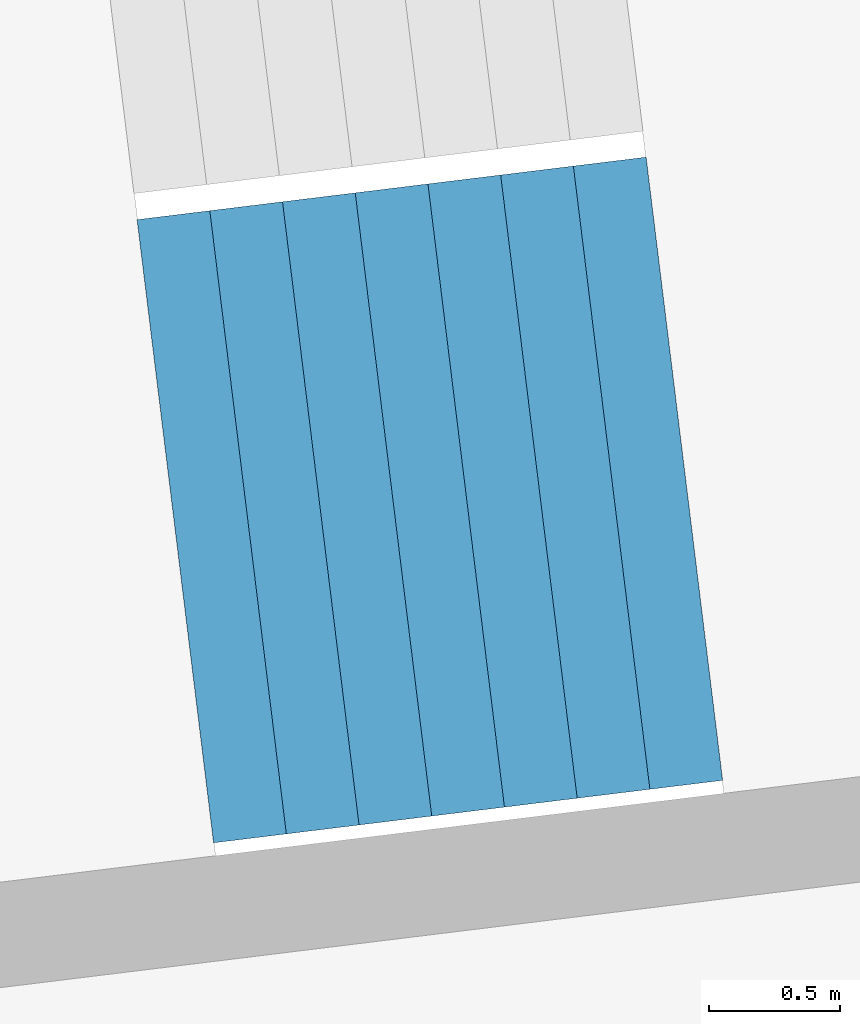
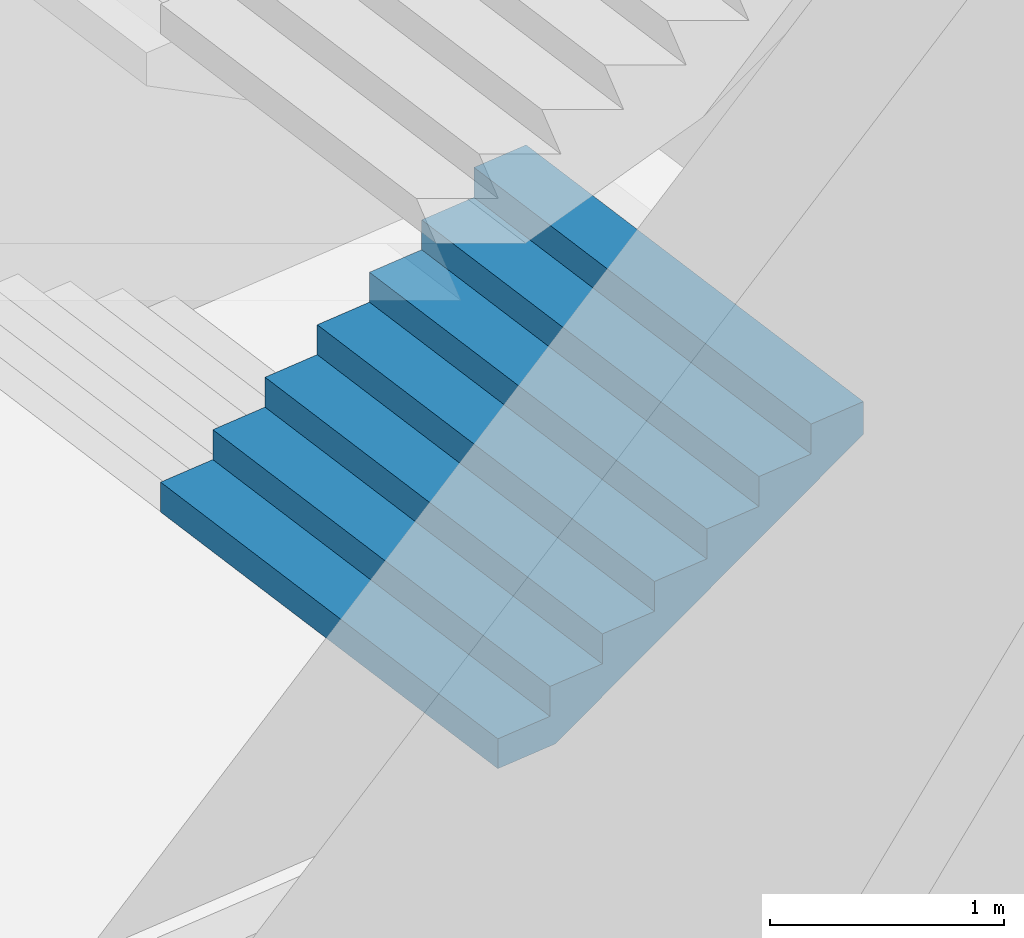
# One storey, part 23 of 73: 1 stair flight, 1 element without a shape of its own.
"""IFC4 building model written with IfcOpenShell, lengths in metres."""

from ifc_helpers import new_model, si_unit, direction, frame, origin, place, context, subcontext, project, spatial, triangles, material, type_object, element, aggregate, save


model = new_model("IFC4")

# Units and contexts
model_context = context("Model", 3, precision=1e-05, world=origin(), true_north=direction((0.0, 1.0)))
body_context = subcontext(model_context, "Body", "Model", "MODEL_VIEW")
ifc_project = project(units=[si_unit("LENGTHUNIT", "METRE"), si_unit("AREAUNIT", "SQUARE_METRE"), si_unit("VOLUMEUNIT", "CUBIC_METRE"), si_unit("PLANEANGLEUNIT", "RADIAN"), si_unit("MASSUNIT", "GRAM", prefix="KILO")], contexts=[model_context])

# Site, building, storey
site_placement = place(None, origin())
site = spatial("IfcSite", under=ifc_project, at=site_placement, CompositionType="ELEMENT")
building_placement = place(site_placement, origin())
building = spatial("IfcBuilding", under=site, at=building_placement, Name="Lantaw Convention Tower", CompositionType="ELEMENT")
storey_placement = place(building_placement, frame((0.0, 0.0, 22.0)))
storey = spatial("IfcBuildingStorey", under=building, at=storey_placement, Name="L03", CompositionType="ELEMENT", Elevation=22.0)

# Stair, stair flight
ifc_material = material(Name="Concrete C35/45", Category="concrete")
stair_type = type_object("IfcStairType", Name="Exit stair 2400 riser 156.25 in 4 flights", PredefinedType="HALF_TURN_STAIR", material=ifc_material)
stair_placement = place(storey_placement, origin())
stair = element("IfcStair", 1, at=stair_placement, inside=storey, type_object=stair_type, Name="Podium exit stair P10 L03", PredefinedType="HALF_TURN_STAIR")
stair_flight_type = type_object("IfcStairFlightType", Name="Stair flight 2400 riser 156.25", PredefinedType="STRAIGHT", material=ifc_material)
stair_flight_placement = place(storey_placement, frame((-36.802978515625, -5.7783203125, 1.25), z_axis=(0.0, 0.0, 1.0), x_axis=(0.992546151641, 0.121869343405, 0.0)))
stair_flight = element("IfcStairFlight", 2, at=stair_flight_placement, type_object=stair_flight_type, Name="P10 flight 2", NumberOfRisers=8, NumberOfTreads=7, PredefinedType="STRAIGHT", RiserHeight=0.15625, TreadLength=0.28, context=body_context, shape_type="Tessellation", body=[
    triangles([(0.0, 1.199951171875, 0.0), (0.0, 1.199951171875, 0.15625), (0.28, 1.199951171875, 0.0), (0.28, 1.199951171875, 0.15625), (0.28, 1.199951171875, 0.3125), (0.3076200632058044, 1.199951171875, 0.0), (0.3076200632058044, 1.199951171875, 0.3125), (0.56, 1.199951171875, 0.14083701830033238), (0.56, 1.199951171875, 0.3125), (0.56, 1.199951171875, 0.46875), (0.8400000000000001, 1.199951171875, 0.29708701830033235), (0.8400000000000001, 1.199951171875, 0.46875), (0.8400000000000001, 1.199951171875, 0.625), (1.12, 1.199951171875, 0.45333701830033235), (1.12, 1.199951171875, 0.625), (1.12, 1.199951171875, 0.78125), (1.4000000000000001, 1.199951171875, 0.6095870183003324), (1.4000000000000001, 1.199951171875, 0.78125), (1.4000000000000001, 1.199951171875, 0.9375), (1.6800000000000002, 1.199951171875, 0.7658370183003324), (1.6800000000000002, 1.199951171875, 0.9375), (1.6800000000000002, 1.199951171875, 1.09375), (1.9600000000000002, 1.199951171875, 0.9220870183003324), (1.9600000000000002, 1.199951171875, 1.09375), (0.0, -1.199951171875, 0.0), (0.0, -1.199951171875, 0.15625), (0.28, -1.199951171875, 0.0), (0.28, -1.199951171875, 0.15625), (0.28, -1.199951171875, 0.3125), (0.3076200632058044, -1.199951171875, 0.0), (0.3076200632058044, -1.199951171875, 0.3125), (0.56, -1.199951171875, 0.14083701830033238), (0.56, -1.199951171875, 0.3125), (0.56, -1.199951171875, 0.46875), (0.8400000000000001, -1.199951171875, 0.29708701830033235), (0.8400000000000001, -1.199951171875, 0.46875), (0.8400000000000001, -1.199951171875, 0.625), (1.12, -1.199951171875, 0.45333701830033235), (1.12, -1.199951171875, 0.625), (1.12, -1.199951171875, 0.78125), (1.4000000000000001, -1.199951171875, 0.6095870183003324), (1.4000000000000001, -1.199951171875, 0.78125), (1.4000000000000001, -1.199951171875, 0.9375), (1.6800000000000002, -1.199951171875, 0.7658370183003324), (1.6800000000000002, -1.199951171875, 0.9375), (1.6800000000000002, -1.199951171875, 1.09375), (1.9600000000000002, -1.199951171875, 0.9220870183003324), (1.9600000000000002, -1.199951171875, 1.09375), (0.0, 0.239990234375, 0.15625), (0.0, 0.239990234375, 0.0), (0.0, 0.1919921875, 0.15625), (0.0, 0.1919921875, 0.0), (0.0, 0.143994140625, 0.15625), (0.0, 0.143994140625, 0.0), (0.0, 0.09599609375, 0.15625), (0.0, 0.09599609375, 0.0), (0.0, 0.047998046875, 0.15625), (0.0, 0.047998046875, 0.0), (0.0, 0.0, 0.15625), (0.0, 0.0, 0.0), (0.0, -0.047998046875, 0.15625), (0.0, -0.047998046875, 0.0), (0.0, -0.09599609375, 0.15625), (0.0, -0.09599609375, 0.0), (0.0, -0.143994140625, 0.15625), (0.0, -0.143994140625, 0.0), (0.0, -0.1919921875, 0.15625), (0.0, -0.1919921875, 0.0), (0.0, -0.239990234375, 0.15625), (0.0, -0.239990234375, 0.0), (0.28, 0.239990234375, 0.3125), (0.28, 0.239990234375, 0.15625), (0.28, 0.1919921875, 0.3125), (0.28, 0.1919921875, 0.15625), (0.28, 0.143994140625, 0.3125), (0.28, 0.143994140625, 0.15625), (0.28, 0.09599609375, 0.3125), (0.28, 0.09599609375, 0.15625), (0.28, 0.047998046875, 0.3125), (0.28, 0.047998046875, 0.15625), (0.28, 0.0, 0.3125), (0.28, 0.0, 0.15625), (0.28, -0.047998046875, 0.3125), (0.28, -0.047998046875, 0.15625), (0.28, -0.09599609375, 0.3125), (0.28, -0.09599609375, 0.15625), (0.28, -0.143994140625, 0.3125), (0.28, -0.143994140625, 0.15625), (0.28, -0.1919921875, 0.3125), (0.28, -0.1919921875, 0.15625), (0.28, -0.239990234375, 0.3125), (0.28, -0.239990234375, 0.15625), (0.56, 0.239990234375, 0.46875), (0.56, 0.239990234375, 0.3125), (0.56, 0.1919921875, 0.46875), (0.56, 0.1919921875, 0.3125), (0.56, 0.143994140625, 0.46875), (0.56, 0.143994140625, 0.3125), (0.56, 0.09599609375, 0.46875), (0.56, 0.09599609375, 0.3125), (0.56, 0.047998046875, 0.46875), (0.56, 0.047998046875, 0.3125), (0.56, 0.0, 0.46875), (0.56, 0.0, 0.3125), (0.56, -0.047998046875, 0.46875), (0.56, -0.047998046875, 0.3125), (0.56, -0.09599609375, 0.46875), (0.56, -0.09599609375, 0.3125), (0.56, -0.143994140625, 0.46875), (0.56, -0.143994140625, 0.3125), (0.56, -0.1919921875, 0.46875), (0.56, -0.1919921875, 0.3125), (0.56, -0.239990234375, 0.46875), (0.56, -0.239990234375, 0.3125), (0.8400000000000001, 0.239990234375, 0.625), (0.8400000000000001, 0.239990234375, 0.46875), (0.8400000000000001, 0.1919921875, 0.625), (0.8400000000000001, 0.1919921875, 0.46875), (0.8400000000000001, 0.143994140625, 0.625), (0.8400000000000001, 0.143994140625, 0.46875), (0.8400000000000001, 0.09599609375, 0.625), (0.8400000000000001, 0.09599609375, 0.46875), (0.8400000000000001, 0.047998046875, 0.625), (0.8400000000000001, 0.047998046875, 0.46875), (0.8400000000000001, 0.0, 0.625), (0.8400000000000001, 0.0, 0.46875), (0.8400000000000001, -0.047998046875, 0.625), (0.8400000000000001, -0.047998046875, 0.46875), (0.8400000000000001, -0.09599609375, 0.625), (0.8400000000000001, -0.09599609375, 0.46875), (0.8400000000000001, -0.143994140625, 0.625), (0.8400000000000001, -0.143994140625, 0.46875), (0.8400000000000001, -0.1919921875, 0.625), (0.8400000000000001, -0.1919921875, 0.46875), (0.8400000000000001, -0.239990234375, 0.625), (0.8400000000000001, -0.239990234375, 0.46875), (1.12, 0.239990234375, 0.78125), (1.12, 0.239990234375, 0.625), (1.12, 0.1919921875, 0.78125), (1.12, 0.1919921875, 0.625), (1.12, 0.143994140625, 0.78125), (1.12, 0.143994140625, 0.625), (1.12, 0.09599609375, 0.78125), (1.12, 0.09599609375, 0.625), (1.12, 0.047998046875, 0.78125), (1.12, 0.047998046875, 0.625), (1.12, 0.0, 0.78125), (1.12, 0.0, 0.625), (1.12, -0.047998046875, 0.78125), (1.12, -0.047998046875, 0.625), (1.12, -0.09599609375, 0.78125), (1.12, -0.09599609375, 0.625), (1.12, -0.143994140625, 0.78125), (1.12, -0.143994140625, 0.625), (1.12, -0.1919921875, 0.78125), (1.12, -0.1919921875, 0.625), (1.12, -0.239990234375, 0.78125), (1.12, -0.239990234375, 0.625), (1.4000000000000001, 0.239990234375, 0.9375), (1.4000000000000001, 0.239990234375, 0.78125), (1.4000000000000001, 0.1919921875, 0.9375), (1.4000000000000001, 0.1919921875, 0.78125), (1.4000000000000001, 0.143994140625, 0.9375), (1.4000000000000001, 0.143994140625, 0.78125), (1.4000000000000001, 0.09599609375, 0.9375), (1.4000000000000001, 0.09599609375, 0.78125), (1.4000000000000001, 0.047998046875, 0.9375), (1.4000000000000001, 0.047998046875, 0.78125), (1.4000000000000001, 0.0, 0.9375), (1.4000000000000001, 0.0, 0.78125), (1.4000000000000001, -0.047998046875, 0.9375), (1.4000000000000001, -0.047998046875, 0.78125), (1.4000000000000001, -0.09599609375, 0.9375), (1.4000000000000001, -0.09599609375, 0.78125), (1.4000000000000001, -0.143994140625, 0.9375), (1.4000000000000001, -0.143994140625, 0.78125), (1.4000000000000001, -0.1919921875, 0.9375), (1.4000000000000001, -0.1919921875, 0.78125), (1.4000000000000001, -0.239990234375, 0.9375), (1.4000000000000001, -0.239990234375, 0.78125), (1.6800000000000002, 0.239990234375, 1.09375), (1.6800000000000002, 0.239990234375, 0.9375), (1.6800000000000002, 0.1919921875, 1.09375), (1.6800000000000002, 0.1919921875, 0.9375), (1.6800000000000002, 0.143994140625, 1.09375), (1.6800000000000002, 0.143994140625, 0.9375), (1.6800000000000002, 0.09599609375, 1.09375), (1.6800000000000002, 0.09599609375, 0.9375), (1.6800000000000002, 0.047998046875, 1.09375), (1.6800000000000002, 0.047998046875, 0.9375), (1.6800000000000002, 0.0, 1.09375), (1.6800000000000002, 0.0, 0.9375), (1.6800000000000002, -0.047998046875, 1.09375), (1.6800000000000002, -0.047998046875, 0.9375), (1.6800000000000002, -0.09599609375, 1.09375), (1.6800000000000002, -0.09599609375, 0.9375), (1.6800000000000002, -0.143994140625, 1.09375), (1.6800000000000002, -0.143994140625, 0.9375), (1.6800000000000002, -0.1919921875, 1.09375), (1.6800000000000002, -0.1919921875, 0.9375), (1.6800000000000002, -0.239990234375, 1.09375), (1.6800000000000002, -0.239990234375, 0.9375), (0.3076200632058044, 0.239990234375, 0.3125), (0.3076200632058044, 0.1919921875, 0.3125), (0.3076200632058044, 0.143994140625, 0.3125), (0.3076200632058044, 0.09599609375, 0.3125), (0.3076200632058044, 0.047998046875, 0.3125), (0.3076200632058044, 0.0, 0.3125), (0.3076200632058044, -0.047998046875, 0.3125), (0.3076200632058044, -0.09599609375, 0.3125), (0.3076200632058044, -0.143994140625, 0.3125), (0.3076200632058044, -0.1919921875, 0.3125), (0.3076200632058044, -0.239990234375, 0.3125), (1.9600000000000002, 0.239990234375, 1.09375), (1.9600000000000002, 0.1919921875, 1.09375), (1.9600000000000002, 0.143994140625, 1.09375), (1.9600000000000002, 0.09599609375, 1.09375), (1.9600000000000002, 0.047998046875, 1.09375), (1.9600000000000002, 0.0, 1.09375), (1.9600000000000002, -0.047998046875, 1.09375), (1.9600000000000002, -0.09599609375, 1.09375), (1.9600000000000002, -0.143994140625, 1.09375), (1.9600000000000002, -0.1919921875, 1.09375), (1.9600000000000002, -0.239990234375, 1.09375), (1.9600000000000002, 0.239990234375, 0.9220870183003324), (1.9600000000000002, 0.1919921875, 0.9220870183003324), (1.9600000000000002, 0.143994140625, 0.9220870183003324), (1.9600000000000002, 0.09599609375, 0.9220870183003324), (1.9600000000000002, 0.047998046875, 0.9220870183003324), (1.9600000000000002, 0.0, 0.9220870183003324), (1.9600000000000002, -0.047998046875, 0.9220870183003324), (1.9600000000000002, -0.09599609375, 0.9220870183003324), (1.9600000000000002, -0.143994140625, 0.9220870183003324), (1.9600000000000002, -0.1919921875, 0.9220870183003324), (1.9600000000000002, -0.239990234375, 0.9220870183003324), (1.6800000000000002, 0.239990234375, 0.7658370183003324), (1.6800000000000002, 0.1919921875, 0.7658370183003324), (1.6800000000000002, 0.143994140625, 0.7658370183003324), (1.6800000000000002, 0.09599609375, 0.7658370183003324), (1.6800000000000002, 0.047998046875, 0.7658370183003324), (1.6800000000000002, 0.0, 0.7658370183003324), (1.6800000000000002, -0.047998046875, 0.7658370183003324), (1.6800000000000002, -0.09599609375, 0.7658370183003324), (1.6800000000000002, -0.143994140625, 0.7658370183003324), (1.6800000000000002, -0.1919921875, 0.7658370183003324), (1.6800000000000002, -0.239990234375, 0.7658370183003324), (1.4000000000000001, 0.239990234375, 0.6095870183003324), (1.4000000000000001, 0.1919921875, 0.6095870183003324), (1.4000000000000001, 0.143994140625, 0.6095870183003324), (1.4000000000000001, 0.09599609375, 0.6095870183003324), (1.4000000000000001, 0.047998046875, 0.6095870183003324), (1.4000000000000001, 0.0, 0.6095870183003324), (1.4000000000000001, -0.047998046875, 0.6095870183003324), (1.4000000000000001, -0.09599609375, 0.6095870183003324), (1.4000000000000001, -0.143994140625, 0.6095870183003324), (1.4000000000000001, -0.1919921875, 0.6095870183003324), (1.4000000000000001, -0.239990234375, 0.6095870183003324), (1.12, 0.239990234375, 0.45333701830033235), (1.12, 0.1919921875, 0.45333701830033235), (1.12, 0.143994140625, 0.45333701830033235), (1.12, 0.09599609375, 0.45333701830033235), (1.12, 0.047998046875, 0.45333701830033235), (1.12, 0.0, 0.45333701830033235), (1.12, -0.047998046875, 0.45333701830033235), (1.12, -0.09599609375, 0.45333701830033235), (1.12, -0.143994140625, 0.45333701830033235), (1.12, -0.1919921875, 0.45333701830033235), (1.12, -0.239990234375, 0.45333701830033235), (0.8400000000000001, 0.239990234375, 0.29708701830033235), (0.8400000000000001, 0.1919921875, 0.29708701830033235), (0.8400000000000001, 0.143994140625, 0.29708701830033235), (0.8400000000000001, 0.09599609375, 0.29708701830033235), (0.8400000000000001, 0.047998046875, 0.29708701830033235), (0.8400000000000001, 0.0, 0.29708701830033235), (0.8400000000000001, -0.047998046875, 0.29708701830033235), (0.8400000000000001, -0.09599609375, 0.29708701830033235), (0.8400000000000001, -0.143994140625, 0.29708701830033235), (0.8400000000000001, -0.1919921875, 0.29708701830033235), (0.8400000000000001, -0.239990234375, 0.29708701830033235), (0.56, 0.239990234375, 0.14083701830033238), (0.56, 0.1919921875, 0.14083701830033238), (0.56, 0.143994140625, 0.14083701830033238), (0.56, 0.09599609375, 0.14083701830033238), (0.56, 0.047998046875, 0.14083701830033238), (0.56, 0.0, 0.14083701830033238), (0.56, -0.047998046875, 0.14083701830033238), (0.56, -0.09599609375, 0.14083701830033238), (0.56, -0.143994140625, 0.14083701830033238), (0.56, -0.1919921875, 0.14083701830033238), (0.56, -0.239990234375, 0.14083701830033238), (0.3076200632058044, 0.239990234375, 0.0), (0.3076200632058044, 0.1919921875, 0.0), (0.3076200632058044, 0.143994140625, 0.0), (0.3076200632058044, 0.09599609375, 0.0), (0.3076200632058044, 0.047998046875, 0.0), (0.3076200632058044, 0.0, 0.0), (0.3076200632058044, -0.047998046875, 0.0), (0.3076200632058044, -0.09599609375, 0.0), (0.3076200632058044, -0.143994140625, 0.0), (0.3076200632058044, -0.1919921875, 0.0), (0.3076200632058044, -0.239990234375, 0.0), (0.28, 0.239990234375, 0.0), (0.28, 0.1919921875, 0.0), (0.28, 0.143994140625, 0.0), (0.28, 0.09599609375, 0.0), (0.28, 0.047998046875, 0.0), (0.28, 0.0, 0.0), (0.28, -0.047998046875, 0.0), (0.28, -0.09599609375, 0.0), (0.28, -0.143994140625, 0.0), (0.28, -0.1919921875, 0.0), (0.28, -0.239990234375, 0.0)], [[1, 4, 3], [1, 2, 4], [3, 4, 6], [4, 7, 6], [4, 5, 7], [6, 9, 8], [6, 7, 9], [8, 9, 11], [9, 12, 11], [9, 10, 12], [11, 12, 14], [12, 15, 14], [12, 13, 15], [14, 15, 17], [15, 18, 17], [15, 16, 18], [17, 18, 20], [18, 21, 20], [18, 19, 21], [20, 21, 23], [21, 24, 23], [21, 22, 24], [25, 27, 28], [25, 28, 26], [27, 30, 28], [28, 30, 31], [28, 31, 29], [30, 32, 33], [30, 33, 31], [32, 35, 33], [33, 35, 36], [33, 36, 34], [35, 38, 36], [36, 38, 39], [36, 39, 37], [38, 41, 39], [39, 41, 42], [39, 42, 40], [41, 44, 42], [42, 44, 45], [42, 45, 43], [44, 47, 45], [45, 47, 48], [45, 48, 46], [1, 49, 2], [1, 50, 49], [50, 51, 49], [50, 52, 51], [52, 53, 51], [52, 54, 53], [54, 55, 53], [54, 56, 55], [56, 57, 55], [56, 58, 57], [58, 59, 57], [58, 60, 59], [60, 61, 59], [60, 62, 61], [62, 63, 61], [62, 64, 63], [64, 65, 63], [64, 66, 65], [66, 67, 65], [66, 68, 67], [68, 69, 67], [68, 70, 69], [70, 26, 69], [70, 25, 26], [4, 71, 5], [4, 72, 71], [72, 73, 71], [72, 74, 73], [74, 75, 73], [74, 76, 75], [76, 77, 75], [76, 78, 77], [78, 79, 77], [78, 80, 79], [80, 81, 79], [80, 82, 81], [82, 83, 81], [82, 84, 83], [84, 85, 83], [84, 86, 85], [86, 87, 85], [86, 88, 87], [88, 89, 87], [88, 90, 89], [90, 91, 89], [90, 92, 91], [92, 29, 91], [92, 28, 29], [9, 93, 10], [9, 94, 93], [94, 95, 93], [94, 96, 95], [96, 97, 95], [96, 98, 97], [98, 99, 97], [98, 100, 99], [100, 101, 99], [100, 102, 101], [102, 103, 101], [102, 104, 103], [104, 105, 103], [104, 106, 105], [106, 107, 105], [106, 108, 107], [108, 109, 107], [108, 110, 109], [110, 111, 109], [110, 112, 111], [112, 113, 111], [112, 114, 113], [114, 34, 113], [114, 33, 34], [12, 115, 13], [12, 116, 115], [116, 117, 115], [116, 118, 117], [118, 119, 117], [118, 120, 119], [120, 121, 119], [120, 122, 121], [122, 123, 121], [122, 124, 123], [124, 125, 123], [124, 126, 125], [126, 127, 125], [126, 128, 127], [128, 129, 127], [128, 130, 129], [130, 131, 129], [130, 132, 131], [132, 133, 131], [132, 134, 133], [134, 135, 133], [134, 136, 135], [136, 37, 135], [136, 36, 37], [15, 137, 16], [15, 138, 137], [138, 139, 137], [138, 140, 139], [140, 141, 139], [140, 142, 141], [142, 143, 141], [142, 144, 143], [144, 145, 143], [144, 146, 145], [146, 147, 145], [146, 148, 147], [148, 149, 147], [148, 150, 149], [150, 151, 149], [150, 152, 151], [152, 153, 151], [152, 154, 153], [154, 155, 153], [154, 156, 155], [156, 157, 155], [156, 158, 157], [158, 40, 157], [158, 39, 40], [18, 159, 19], [18, 160, 159], [160, 161, 159], [160, 162, 161], [162, 163, 161], [162, 164, 163], [164, 165, 163], [164, 166, 165], [166, 167, 165], [166, 168, 167], [168, 169, 167], [168, 170, 169], [170, 171, 169], [170, 172, 171], [172, 173, 171], [172, 174, 173], [174, 175, 173], [174, 176, 175], [176, 177, 175], [176, 178, 177], [178, 179, 177], [178, 180, 179], [180, 43, 179], [180, 42, 43], [21, 181, 22], [21, 182, 181], [182, 183, 181], [182, 184, 183], [184, 185, 183], [184, 186, 185], [186, 187, 185], [186, 188, 187], [188, 189, 187], [188, 190, 189], [190, 191, 189], [190, 192, 191], [192, 193, 191], [192, 194, 193], [194, 195, 193], [194, 196, 195], [196, 197, 195], [196, 198, 197], [198, 199, 197], [198, 200, 199], [200, 201, 199], [200, 202, 201], [202, 46, 201], [202, 45, 46], [2, 72, 4], [2, 49, 72], [49, 74, 72], [49, 51, 74], [51, 76, 74], [51, 53, 76], [53, 78, 76], [53, 55, 78], [55, 80, 78], [55, 57, 80], [57, 82, 80], [57, 59, 82], [59, 84, 82], [59, 61, 84], [61, 86, 84], [61, 63, 86], [63, 88, 86], [63, 65, 88], [65, 90, 88], [65, 67, 90], [67, 92, 90], [67, 69, 92], [69, 28, 92], [69, 26, 28], [5, 203, 7], [5, 71, 203], [71, 204, 203], [71, 73, 204], [73, 205, 204], [73, 75, 205], [75, 206, 205], [75, 77, 206], [77, 207, 206], [77, 79, 207], [79, 208, 207], [79, 81, 208], [81, 209, 208], [81, 83, 209], [83, 210, 209], [83, 85, 210], [85, 211, 210], [85, 87, 211], [87, 212, 211], [87, 89, 212], [89, 213, 212], [89, 91, 213], [91, 31, 213], [91, 29, 31], [7, 94, 9], [7, 203, 94], [203, 96, 94], [203, 204, 96], [204, 98, 96], [204, 205, 98], [205, 100, 98], [205, 206, 100], [206, 102, 100], [206, 207, 102], [207, 104, 102], [207, 208, 104], [208, 106, 104], [208, 209, 106], [209, 108, 106], [209, 210, 108], [210, 110, 108], [210, 211, 110], [211, 112, 110], [211, 212, 112], [212, 114, 112], [212, 213, 114], [213, 33, 114], [213, 31, 33], [10, 116, 12], [10, 93, 116], [93, 118, 116], [93, 95, 118], [95, 120, 118], [95, 97, 120], [97, 122, 120], [97, 99, 122], [99, 124, 122], [99, 101, 124], [101, 126, 124], [101, 103, 126], [103, 128, 126], [103, 105, 128], [105, 130, 128], [105, 107, 130], [107, 132, 130], [107, 109, 132], [109, 134, 132], [109, 111, 134], [111, 136, 134], [111, 113, 136], [113, 36, 136], [113, 34, 36], [13, 138, 15], [13, 115, 138], [115, 140, 138], [115, 117, 140], [117, 142, 140], [117, 119, 142], [119, 144, 142], [119, 121, 144], [121, 146, 144], [121, 123, 146], [123, 148, 146], [123, 125, 148], [125, 150, 148], [125, 127, 150], [127, 152, 150], [127, 129, 152], [129, 154, 152], [129, 131, 154], [131, 156, 154], [131, 133, 156], [133, 158, 156], [133, 135, 158], [135, 39, 158], [135, 37, 39], [16, 160, 18], [16, 137, 160], [137, 162, 160], [137, 139, 162], [139, 164, 162], [139, 141, 164], [141, 166, 164], [141, 143, 166], [143, 168, 166], [143, 145, 168], [145, 170, 168], [145, 147, 170], [147, 172, 170], [147, 149, 172], [149, 174, 172], [149, 151, 174], [151, 176, 174], [151, 153, 176], [153, 178, 176], [153, 155, 178], [155, 180, 178], [155, 157, 180], [157, 42, 180], [157, 40, 42], [19, 182, 21], [19, 159, 182], [159, 184, 182], [159, 161, 184], [161, 186, 184], [161, 163, 186], [163, 188, 186], [163, 165, 188], [165, 190, 188], [165, 167, 190], [167, 192, 190], [167, 169, 192], [169, 194, 192], [169, 171, 194], [171, 196, 194], [171, 173, 196], [173, 198, 196], [173, 175, 198], [175, 200, 198], [175, 177, 200], [177, 202, 200], [177, 179, 202], [179, 45, 202], [179, 43, 45], [22, 214, 24], [22, 181, 214], [181, 215, 214], [181, 183, 215], [183, 216, 215], [183, 185, 216], [185, 217, 216], [185, 187, 217], [187, 218, 217], [187, 189, 218], [189, 219, 218], [189, 191, 219], [191, 220, 219], [191, 193, 220], [193, 221, 220], [193, 195, 221], [195, 222, 221], [195, 197, 222], [197, 223, 222], [197, 199, 223], [199, 224, 223], [199, 201, 224], [201, 48, 224], [201, 46, 48], [24, 225, 23], [24, 214, 225], [214, 226, 225], [214, 215, 226], [215, 227, 226], [215, 216, 227], [216, 228, 227], [216, 217, 228], [217, 229, 228], [217, 218, 229], [218, 230, 229], [218, 219, 230], [219, 231, 230], [219, 220, 231], [220, 232, 231], [220, 221, 232], [221, 233, 232], [221, 222, 233], [222, 234, 233], [222, 223, 234], [223, 235, 234], [223, 224, 235], [224, 47, 235], [224, 48, 47], [23, 236, 20], [23, 225, 236], [225, 237, 236], [225, 226, 237], [226, 238, 237], [226, 227, 238], [227, 239, 238], [227, 228, 239], [228, 240, 239], [228, 229, 240], [229, 241, 240], [229, 230, 241], [230, 242, 241], [230, 231, 242], [231, 243, 242], [231, 232, 243], [232, 244, 243], [232, 233, 244], [233, 245, 244], [233, 234, 245], [234, 246, 245], [234, 235, 246], [235, 44, 246], [235, 47, 44], [20, 247, 17], [20, 236, 247], [236, 248, 247], [236, 237, 248], [237, 249, 248], [237, 238, 249], [238, 250, 249], [238, 239, 250], [239, 251, 250], [239, 240, 251], [240, 252, 251], [240, 241, 252], [241, 253, 252], [241, 242, 253], [242, 254, 253], [242, 243, 254], [243, 255, 254], [243, 244, 255], [244, 256, 255], [244, 245, 256], [245, 257, 256], [245, 246, 257], [246, 41, 257], [246, 44, 41], [17, 258, 14], [17, 247, 258], [247, 259, 258], [247, 248, 259], [248, 260, 259], [248, 249, 260], [249, 261, 260], [249, 250, 261], [250, 262, 261], [250, 251, 262], [251, 263, 262], [251, 252, 263], [252, 264, 263], [252, 253, 264], [253, 265, 264], [253, 254, 265], [254, 266, 265], [254, 255, 266], [255, 267, 266], [255, 256, 267], [256, 268, 267], [256, 257, 268], [257, 38, 268], [257, 41, 38], [14, 269, 11], [14, 258, 269], [258, 270, 269], [258, 259, 270], [259, 271, 270], [259, 260, 271], [260, 272, 271], [260, 261, 272], [261, 273, 272], [261, 262, 273], [262, 274, 273], [262, 263, 274], [263, 275, 274], [263, 264, 275], [264, 276, 275], [264, 265, 276], [265, 277, 276], [265, 266, 277], [266, 278, 277], [266, 267, 278], [267, 279, 278], [267, 268, 279], [268, 35, 279], [268, 38, 35], [11, 280, 8], [11, 269, 280], [269, 281, 280], [269, 270, 281], [270, 282, 281], [270, 271, 282], [271, 283, 282], [271, 272, 283], [272, 284, 283], [272, 273, 284], [273, 285, 284], [273, 274, 285], [274, 286, 285], [274, 275, 286], [275, 287, 286], [275, 276, 287], [276, 288, 287], [276, 277, 288], [277, 289, 288], [277, 278, 289], [278, 290, 289], [278, 279, 290], [279, 32, 290], [279, 35, 32], [8, 291, 6], [8, 280, 291], [280, 292, 291], [280, 281, 292], [281, 293, 292], [281, 282, 293], [282, 294, 293], [282, 283, 294], [283, 295, 294], [283, 284, 295], [284, 296, 295], [284, 285, 296], [285, 297, 296], [285, 286, 297], [286, 298, 297], [286, 287, 298], [287, 299, 298], [287, 288, 299], [288, 300, 299], [288, 289, 300], [289, 301, 300], [289, 290, 301], [290, 30, 301], [290, 32, 30], [6, 302, 3], [6, 291, 302], [291, 303, 302], [291, 292, 303], [292, 304, 303], [292, 293, 304], [293, 305, 304], [293, 294, 305], [294, 306, 305], [294, 295, 306], [295, 307, 306], [295, 296, 307], [296, 308, 307], [296, 297, 308], [297, 309, 308], [297, 298, 309], [298, 310, 309], [298, 299, 310], [299, 311, 310], [299, 300, 311], [300, 312, 311], [300, 301, 312], [301, 27, 312], [301, 30, 27], [3, 50, 1], [3, 302, 50], [302, 52, 50], [302, 303, 52], [303, 54, 52], [303, 304, 54], [304, 56, 54], [304, 305, 56], [305, 58, 56], [305, 306, 58], [306, 60, 58], [306, 307, 60], [307, 62, 60], [307, 308, 62], [308, 64, 62], [308, 309, 64], [309, 66, 64], [309, 310, 66], [310, 68, 66], [310, 311, 68], [311, 70, 68], [311, 312, 70], [312, 25, 70], [312, 27, 25]], closed=True),
])
aggregate(stair, [stair_flight])

save(model, "model.ifc")
